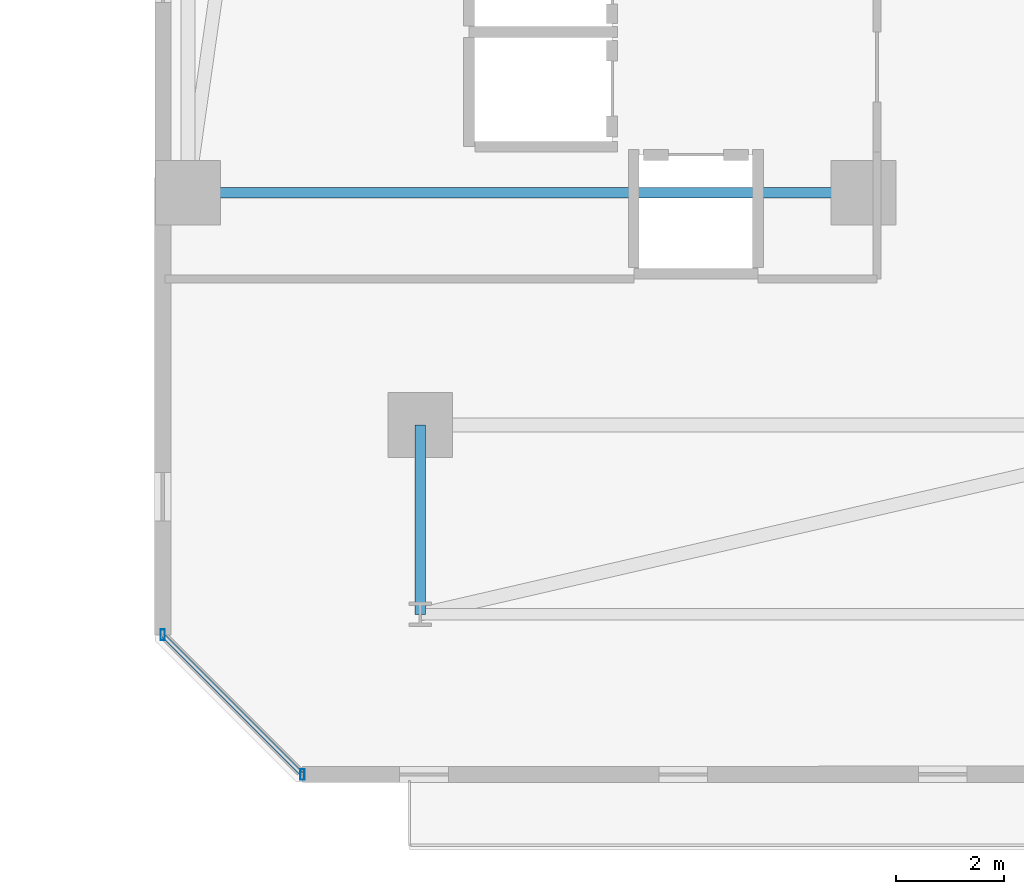
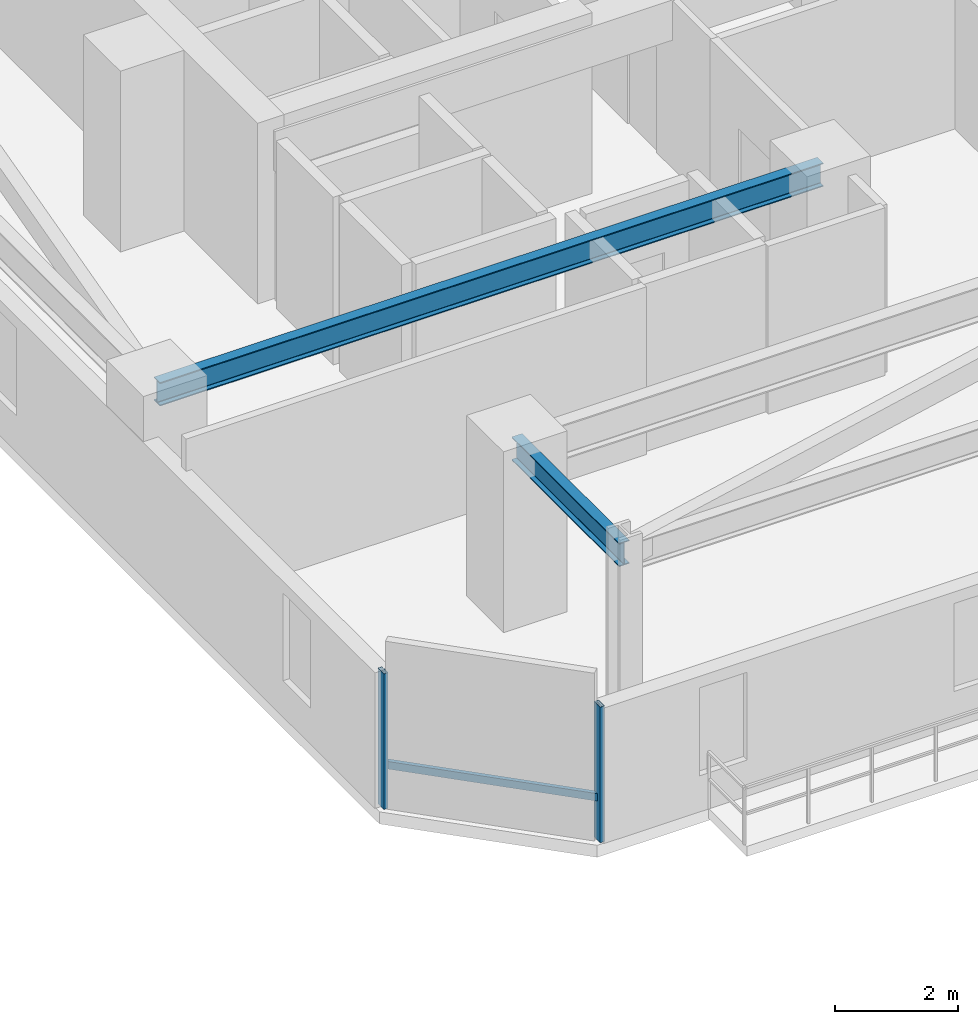
# One storey, part 10 of 33: 3 members, 2 beams, 1 element without a shape of its own.
"""IFC4 building model written with IfcOpenShell, lengths in metres."""

from ifc_helpers import new_model, si_unit, direction, frame, origin, origin_2d, place, context, subcontext, project, spatial, hollow_rectangle, i_section, extrude, material, material_profile, profile_set, type_object, element, aggregate, save


model = new_model("IFC4")

# Units and contexts
model_context = context("Model", 3, precision=1e-05, world=origin(), true_north=direction((0.0, 1.0)))
body_context = subcontext(model_context, "Body", "Model", "MODEL_VIEW")
ifc_project = project(units=[si_unit("LENGTHUNIT", "METRE"), si_unit("AREAUNIT", "SQUARE_METRE"), si_unit("VOLUMEUNIT", "CUBIC_METRE"), si_unit("PLANEANGLEUNIT", "RADIAN"), si_unit("MASSUNIT", "GRAM", prefix="KILO")], contexts=[model_context])

# Site, building, storey
site_placement = place(None, origin())
site = spatial("IfcSite", under=ifc_project, at=site_placement, CompositionType="ELEMENT")
building_placement = place(site_placement, origin())
building = spatial("IfcBuilding", under=site, at=building_placement, Name="Thornwick Lancets Civic Towers", CompositionType="ELEMENT")
storey_placement = place(building_placement, frame((0.0, 0.0, 130.5)))
storey = spatial("IfcBuildingStorey", under=building, at=storey_placement, Name="L34", CompositionType="ELEMENT", Elevation=130.5)

# Beams
ifc_material_1 = material(Name="Steel S355JR", Category="steel")
ifc_material_profile_1 = material_profile(ifc_material_1, i_section(OverallWidth=0.19287109375, OverallDepth=0.46728515625, WebThickness=0.011474609375, FlangeThickness=0.01953125, FilletRadius=0.01025390625, at=origin_2d()), Name="UKB 457x191x98")
ifc_profile_set_1 = profile_set([ifc_material_profile_1], Name="Steel S355JR")
beam_type = type_object("IfcBeamType", Name="BM_JOIST_457_98", PredefinedType="JOIST", material=ifc_profile_set_1)
beam_1_placement = place(storey_placement, frame((83.699951171875, 14.0, 3.12646484375), z_axis=(-1.0, 0.0, 0.0), x_axis=(0.0, -1.0, 0.0)))
element("IfcBeam", 1, at=beam_1_placement, inside=storey, type_object=beam_type, Name="BM-RADIN-L34-B07", PredefinedType="JOIST", context=body_context, shape_type="SweptSolid", body=[
    extrude(i_section(OverallWidth=0.19287109375, OverallDepth=0.46728515625, WebThickness=0.011474609375, FlangeThickness=0.01953125, FilletRadius=0.01025390625, at=origin_2d()), origin(), (0.0, 0.0, 1.0), 12.5),
])
beam_2_placement = place(storey_placement, frame((75.5, 9.699951171875, 3.12646484375), z_axis=(0.0, -1.0, 0.0), x_axis=(1.0, 0.0, 0.0)))
element("IfcBeam", 2, at=beam_2_placement, inside=storey, type_object=beam_type, Name="BM-RAD-L34-B12", PredefinedType="JOIST", context=body_context, shape_type="SweptSolid", body=[
    extrude(i_section(OverallWidth=0.19287109375, OverallDepth=0.46728515625, WebThickness=0.011474609375, FlangeThickness=0.01953125, FilletRadius=0.01025390625, at=origin_2d()), origin(), (0.0, 0.0, 1.0), 3.5),
])

# Curtain wall, members
ifc_material_2 = material(Name="Mid-zone chamfered-corner unitised glass curtain wall", Category="glass")
curtain_wall_type = type_object("IfcCurtainWallType", Name="CW_SYS_04", PredefinedType="NOTDEFINED", material=ifc_material_2)
curtain_wall_placement = place(storey_placement, origin())
curtain_wall = element("IfcCurtainWall", 3, at=curtain_wall_placement, inside=storey, type_object=curtain_wall_type, Name="L34 Curtain Wall CW-L34-B-E7", PredefinedType="NOTDEFINED")
ifc_material_3 = material(Name="Thermally broken bronze aluminium S355", Category="steel")
ifc_material_profile_2 = material_profile(ifc_material_3, hollow_rectangle(XDim=0.080078125, YDim=0.199951171875, WallThickness=0.006103515625, at=origin_2d()), Name="RHS 200x80x6")
ifc_profile_set_2 = profile_set([ifc_material_profile_2], Name="Thermally broken bronze aluminium S355")
member_type_1 = type_object("IfcMemberType", Name="CW_MUL_200", PredefinedType="MULLION", material=ifc_profile_set_2)
member_1_placement = place(storey_placement, frame((70.7353515625, 5.818603515625, 0.0), z_axis=(0.0, 0.0, 1.0), x_axis=(1.0, 0.0, 0.0)))
member_1 = element("IfcMember", 4, at=member_1_placement, type_object=member_type_1, Name="CW-L34-B-E7 Mullion 0", PredefinedType="MULLION", context=body_context, shape_type="SweptSolid", body=[
    extrude(hollow_rectangle(XDim=0.080078125, YDim=0.199951171875, WallThickness=0.006103515625, at=origin_2d()), origin(), (0.0, 0.0, 1.0), 2.699951171875),
])
member_2_placement = place(storey_placement, frame((73.318603515625, 3.2353515625, 0.0), z_axis=(0.0, 0.0, 1.0), x_axis=(1.0, 0.0, 0.0)))
member_2 = element("IfcMember", 5, at=member_2_placement, type_object=member_type_1, Name="CW-L34-B-E7 Mullion 1", PredefinedType="MULLION", context=body_context, shape_type="SweptSolid", body=[
    extrude(hollow_rectangle(XDim=0.080078125, YDim=0.199951171875, WallThickness=0.006103515625, at=origin_2d()), origin(), (0.0, 0.0, 1.0), 2.699951171875),
])
ifc_material_profile_3 = material_profile(ifc_material_3, hollow_rectangle(XDim=0.074951171875, YDim=0.14990234375, WallThickness=0.0048828125, at=origin_2d()), Name="RHS 150x75x5")
ifc_profile_set_3 = profile_set([ifc_material_profile_3], Name="Thermally broken bronze aluminium S355")
member_type_2 = type_object("IfcMemberType", Name="CW_TRN_150", PredefinedType="USERDEFINED", material=ifc_profile_set_3)
member_3_placement = place(storey_placement, frame((70.74951171875, 5.804443359375, 0.85009765625), z_axis=(0.707106781187, -0.707106781187, 0.0), x_axis=(0.707106781187, 0.707106781187, 0.0)))
member_3 = element("IfcMember", 6, at=member_3_placement, type_object=member_type_2, Name="CW-L34-B-E7 Transom 0", ObjectType="TRANSOM", PredefinedType="USERDEFINED", context=body_context, shape_type="SweptSolid", body=[
    extrude(hollow_rectangle(XDim=0.074951171875, YDim=0.14990234375, WallThickness=0.0048828125, at=origin_2d()), origin(), (0.0, 0.0, 1.0), 3.61328125),
])
aggregate(curtain_wall, [member_1, member_2, member_3])

save(model, "model.ifc")
